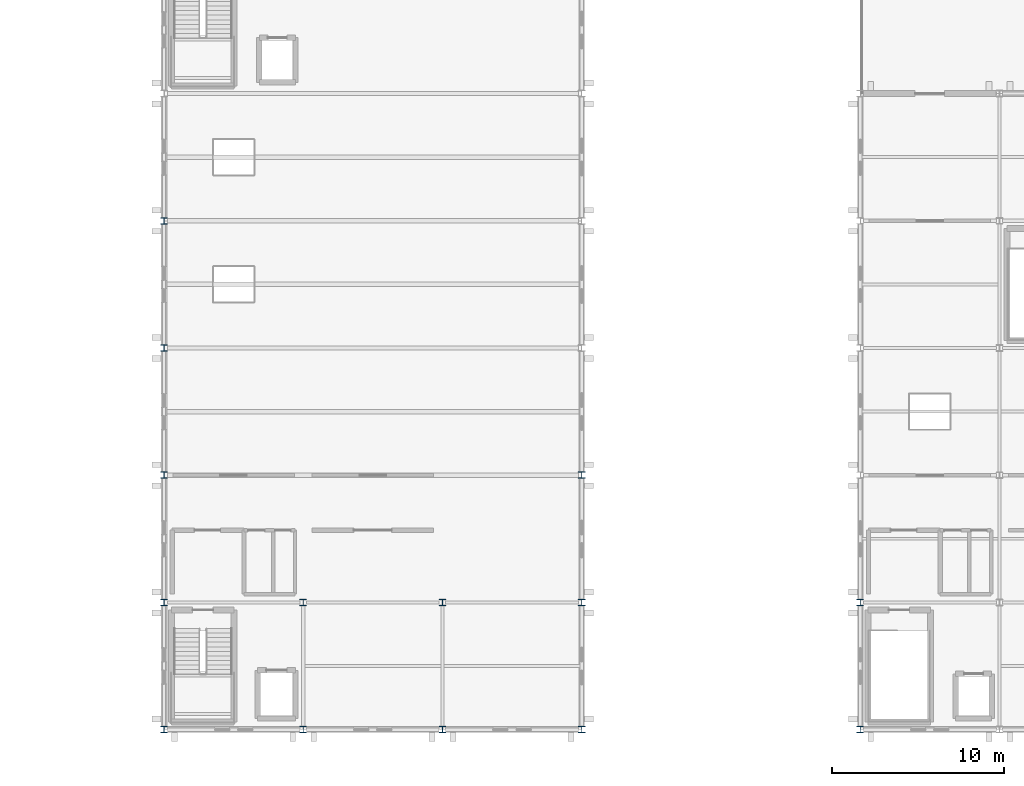
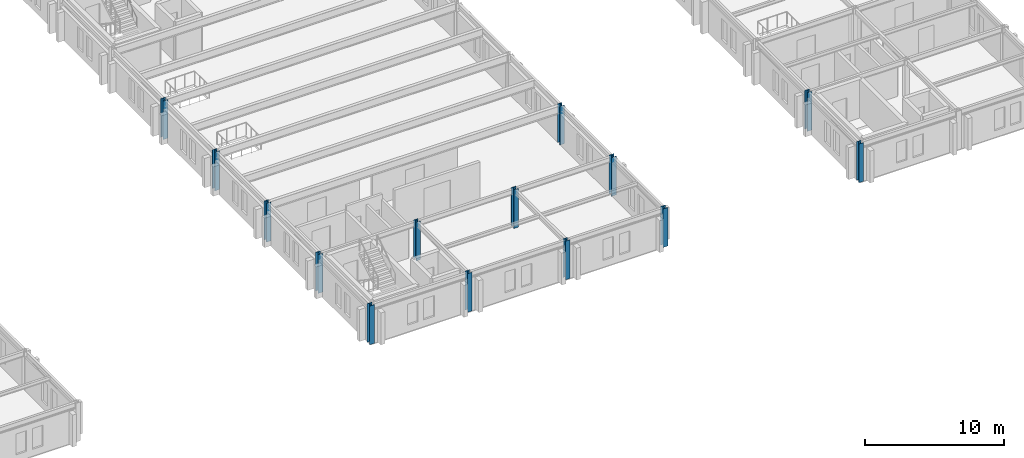
# One storey, part 2 of 19: 14 columns.
"""IFC4 building model written with IfcOpenShell, lengths in metres."""

from ifc_helpers import new_model, si_unit, direction, frame, origin, origin_2d, place, context, subcontext, project, spatial, i_section, extrude, material, material_profile, profile_set, type_object, element, save


model = new_model("IFC4")

# Units and contexts
model_context = context("Model", 3, precision=1e-05, world=origin(), true_north=direction((0.0, 1.0)))
body_context = subcontext(model_context, "Body", "Model", "MODEL_VIEW")
ifc_project = project(units=[si_unit("LENGTHUNIT", "METRE"), si_unit("AREAUNIT", "SQUARE_METRE"), si_unit("VOLUMEUNIT", "CUBIC_METRE"), si_unit("PLANEANGLEUNIT", "RADIAN"), si_unit("MASSUNIT", "GRAM", prefix="KILO")], contexts=[model_context])

# Site, building, storey
site_placement = place(None, origin())
site = spatial("IfcSite", under=ifc_project, at=site_placement, CompositionType="ELEMENT")
building_placement = place(site_placement, origin())
building = spatial("IfcBuilding", under=site, at=building_placement, Name="Cimatlan Art Gallery", CompositionType="ELEMENT")
storey_placement = place(building_placement, frame((0.0, 0.0, 17.39990234375)))
storey = spatial("IfcBuildingStorey", under=building, at=storey_placement, Name="L04", CompositionType="ELEMENT", Elevation=17.39990234375)

# Columns
ifc_material = material(Name="Steel ASTM A992 Grade 50", Category="steel")
ifc_material_profile_1 = material_profile(ifc_material, i_section(OverallWidth=0.3740234375, OverallDepth=0.3720703125, WebThickness=0.016357421875, FlangeThickness=0.026123046875, at=origin_2d()), Name="W14X132")
ifc_profile_set_1 = profile_set([ifc_material_profile_1], Name="Steel ASTM A992 Grade 50")
column_type_1 = type_object("IfcColumnType", Name="COL-STL-W14X132", PredefinedType="COLUMN", material=ifc_profile_set_1)
for number, where, z_axis, x_axis, name in (
    (1, (83.0, 23.89990234375, 0.0), (0.0, 0.0, 1.0), (1.0, 0.0, 0.0), "COL-L04-10-03"),
    (2, (83.0, 31.300048828125, 0.0), (0.0, 0.0, 1.0), (1.0, 0.0, 0.0), "COL-L04-10-04"),
    (3, (91.10009765625, 23.89990234375, 0.0), (0.0, 0.0, 1.0), (1.0, 0.0, 0.0), "COL-L04-11-03"),
    (4, (91.10009765625, 31.300048828125, 0.0), (0.0, 0.0, 1.0), (1.0, 0.0, 0.0), "COL-L04-11-04"),
    (5, (115.39990234375, 23.89990234375, 0.0), (0.0, 0.0, 1.0), (1.0, 0.0, 0.0), "COL-L04-14-03"),
    (6, (115.39990234375, 31.300048828125, 0.0), (0.0, 0.0, 1.0), (1.0, 0.0, 0.0), "COL-L04-14-04"),
):
    element("IfcColumn", number, at=place(storey_placement, frame(where, z_axis=z_axis, x_axis=x_axis)), inside=storey, type_object=column_type_1, Name=name, PredefinedType="COLUMN", context=body_context, shape_type="SweptSolid", body=[
        extrude(i_section(OverallWidth=0.3740234375, OverallDepth=0.3720703125, WebThickness=0.016357421875, FlangeThickness=0.026123046875, at=origin_2d()), origin(), (0.0, 0.0, 1.0), 3.380126953125),
    ])
ifc_material_profile_2 = material_profile(ifc_material, i_section(OverallWidth=0.39404296875, OverallDepth=0.3759765625, WebThickness=0.017333984375, FlangeThickness=0.027587890625, at=origin_2d()), Name="W14X145")
ifc_profile_set_2 = profile_set([ifc_material_profile_2], Name="Steel ASTM A992 Grade 50")
column_type_2 = type_object("IfcColumnType", Name="COL-STL-W14X145", PredefinedType="COLUMN", material=ifc_profile_set_2)
for number, where, z_axis, x_axis, name in (
    (7, (74.89990234375, 23.89990234375, 0.0), (0.0, 0.0, 1.0), (1.0, 0.0, 0.0), "COL-L04-09-03"),
    (8, (74.89990234375, 31.300048828125, 0.0), (0.0, 0.0, 1.0), (1.0, 0.0, 0.0), "COL-L04-09-04"),
    (9, (74.89990234375, 38.699951171875, 0.0), (0.0, 0.0, 1.0), (1.0, 0.0, 0.0), "COL-L04-09-05"),
    (10, (74.89990234375, 46.10009765625, 0.0), (0.0, 0.0, 1.0), (1.0, 0.0, 0.0), "COL-L04-09-06"),
    (11, (74.89990234375, 53.5, 0.0), (0.0, 0.0, 1.0), (1.0, 0.0, 0.0), "COL-L04-09-07"),
    (12, (99.199951171875, 23.89990234375, 0.0), (0.0, 0.0, 1.0), (1.0, 0.0, 0.0), "COL-L04-12-03"),
    (13, (99.199951171875, 31.300048828125, 0.0), (0.0, 0.0, 1.0), (1.0, 0.0, 0.0), "COL-L04-12-04"),
    (14, (99.199951171875, 38.699951171875, 0.0), (0.0, 0.0, 1.0), (1.0, 0.0, 0.0), "COL-L04-12-05"),
):
    element("IfcColumn", number, at=place(storey_placement, frame(where, z_axis=z_axis, x_axis=x_axis)), inside=storey, type_object=column_type_2, Name=name, PredefinedType="COLUMN", context=body_context, shape_type="SweptSolid", body=[
        extrude(i_section(OverallWidth=0.39404296875, OverallDepth=0.3759765625, WebThickness=0.017333984375, FlangeThickness=0.027587890625, at=origin_2d()), origin(), (0.0, 0.0, 1.0), 3.380126953125),
    ])

save(model, "model.ifc")
